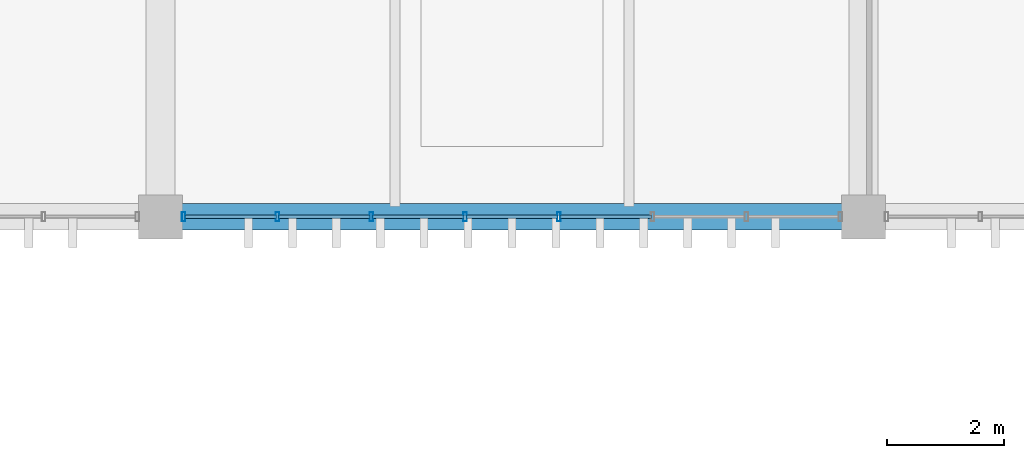
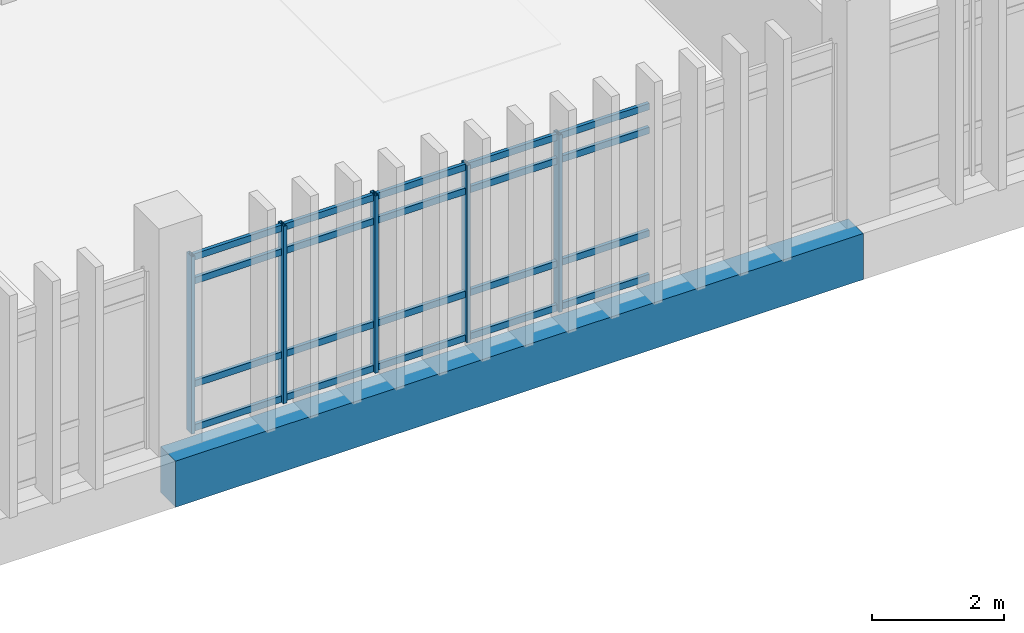
# One storey, part 69 of 161: 25 members, 1 beam, 1 element without a shape of its own.
"""IFC4 building model written with IfcOpenShell, lengths in metres."""

from ifc_helpers import new_model, si_unit, direction, frame, origin, origin_2d, place, context, subcontext, project, spatial, rectangle, hollow_rectangle, extrude, material, layer, layer_set, material_profile, profile_set, type_object, element, aggregate, save


model = new_model("IFC4")

# Units and contexts
model_context = context("Model", 3, precision=1e-05, world=origin(), true_north=direction((0.0, 1.0)))
body_context = subcontext(model_context, "Body", "Model", "MODEL_VIEW")
ifc_project = project(units=[si_unit("LENGTHUNIT", "METRE"), si_unit("AREAUNIT", "SQUARE_METRE"), si_unit("VOLUMEUNIT", "CUBIC_METRE"), si_unit("PLANEANGLEUNIT", "RADIAN"), si_unit("MASSUNIT", "GRAM", prefix="KILO")], contexts=[model_context])

# Site, building, storey
site_placement = place(None, origin())
site = spatial("IfcSite", under=ifc_project, at=site_placement, CompositionType="ELEMENT")
building_placement = place(site_placement, origin())
building = spatial("IfcBuilding", under=site, at=building_placement, Name="Mersad Railyard Sports Hall", CompositionType="ELEMENT")
storey_placement = place(building_placement, frame((0.0, 0.0, 4.800048828125)))
storey = spatial("IfcBuildingStorey", under=building, at=storey_placement, Name="L01", CompositionType="ELEMENT", Elevation=4.800048828125)

# Curtain wall, members
ifc_material_1 = material(Name="Aluminium 6063-T6", Category="aluminium")
ifc_layer = layer(ifc_material_1, 0.159912109375)
ifc_layer_set = layer_set([ifc_layer], Name="Aluminium 6063-T6")
curtain_wall_type = type_object("IfcCurtainWallType", Name="ARC-CW-CW37", PredefinedType="USERDEFINED", material=ifc_layer_set)
curtain_wall_placement = place(storey_placement, origin())
curtain_wall = element("IfcCurtainWall", 1, at=curtain_wall_placement, inside=storey, type_object=curtain_wall_type, Name="Curtain wall CW37-0105", ObjectType="CURTAIN WALL", PredefinedType="USERDEFINED")
ifc_material_profile_1 = material_profile(ifc_material_1, hollow_rectangle(XDim=0.06005859375, YDim=0.159912109375, WallThickness=0.00390625, at=origin_2d()), Name="AL MULLION 60x160x4")
ifc_profile_set_1 = profile_set([ifc_material_profile_1], Name="Aluminium 6063-T6")
member_type_1 = type_object("IfcMemberType", Name="ARC-CW-MUL01", PredefinedType="MULLION", material=ifc_profile_set_1)
member_1_placement = place(storey_placement, frame((61.80078125, 85.0, -0.02001953125), z_axis=(0.0, 0.0, 1.0), x_axis=(1.0, 0.0, 0.0)))
member_1 = element("IfcMember", 2, at=member_1_placement, type_object=member_type_1, Name="CW37 Mullion 4", PredefinedType="MULLION", context=body_context, shape_type="SweptSolid", body=[
    extrude(hollow_rectangle(XDim=0.06005859375, YDim=0.159912109375, WallThickness=0.00390625, at=origin_2d()), origin(), (0.0, 0.0, 1.0), 3.27001953125),
])
member_2_placement = place(storey_placement, frame((60.19921875, 85.0, -0.02001953125), z_axis=(0.0, 0.0, 1.0), x_axis=(1.0, 0.0, 0.0)))
member_2 = element("IfcMember", 3, at=member_2_placement, type_object=member_type_1, Name="CW37 Mullion 5", PredefinedType="MULLION", context=body_context, shape_type="SweptSolid", body=[
    extrude(hollow_rectangle(XDim=0.06005859375, YDim=0.159912109375, WallThickness=0.00390625, at=origin_2d()), origin(), (0.0, 0.0, 1.0), 3.27001953125),
])
member_3_placement = place(storey_placement, frame((58.597900390625, 85.0, -0.02001953125), z_axis=(0.0, 0.0, 1.0), x_axis=(1.0, 0.0, 0.0)))
member_3 = element("IfcMember", 4, at=member_3_placement, type_object=member_type_1, Name="CW37 Mullion 6", PredefinedType="MULLION", context=body_context, shape_type="SweptSolid", body=[
    extrude(hollow_rectangle(XDim=0.06005859375, YDim=0.159912109375, WallThickness=0.00390625, at=origin_2d()), origin(), (0.0, 0.0, 1.0), 3.27001953125),
])
member_4_placement = place(storey_placement, frame((56.996337890625, 85.0, -0.02001953125), z_axis=(0.0, 0.0, 1.0), x_axis=(1.0, 0.0, 0.0)))
member_4 = element("IfcMember", 5, at=member_4_placement, type_object=member_type_1, Name="CW37 Mullion 7", PredefinedType="MULLION", context=body_context, shape_type="SweptSolid", body=[
    extrude(hollow_rectangle(XDim=0.06005859375, YDim=0.159912109375, WallThickness=0.00390625, at=origin_2d()), origin(), (0.0, 0.0, 1.0), 3.27001953125),
])
member_5_placement = place(storey_placement, frame((55.39501953125, 85.0, -0.02001953125), z_axis=(0.0, 0.0, 1.0), x_axis=(1.0, 0.0, 0.0)))
member_5 = element("IfcMember", 6, at=member_5_placement, type_object=member_type_1, Name="CW37 Mullion 8", PredefinedType="MULLION", context=body_context, shape_type="SweptSolid", body=[
    extrude(hollow_rectangle(XDim=0.06005859375, YDim=0.159912109375, WallThickness=0.00390625, at=origin_2d()), origin(), (0.0, 0.0, 1.0), 3.27001953125),
])
ifc_material_profile_2 = material_profile(ifc_material_1, hollow_rectangle(XDim=0.06005859375, YDim=0.1201171875, WallThickness=0.00390625, at=origin_2d()), Name="AL TRANSOM 60x120x4")
ifc_profile_set_2 = profile_set([ifc_material_profile_2], Name="Aluminium 6063-T6")
member_type_2 = type_object("IfcMemberType", Name="ARC-CW-TRN01", PredefinedType="USERDEFINED", material=ifc_profile_set_2)
member_6_placement = place(storey_placement, frame((63.382080078125, 85.0, 0.0400390625), z_axis=(-1.0, 0.0, 0.0), x_axis=(0.0, -1.0, 0.0)))
member_6 = element("IfcMember", 7, at=member_6_placement, type_object=member_type_2, Name="CW37 Transom 1-3", ObjectType="TRANSOM", PredefinedType="USERDEFINED", context=body_context, shape_type="SweptSolid", body=[
    extrude(hollow_rectangle(XDim=0.06005859375, YDim=0.1201171875, WallThickness=0.00390625, at=origin_2d()), origin(), (0.0, 0.0, 1.0), 1.561279296875),
])
member_7_placement = place(storey_placement, frame((61.78076171875, 85.0, 0.0400390625), z_axis=(-1.0, 0.0, 0.0), x_axis=(0.0, -1.0, 0.0)))
member_7 = element("IfcMember", 8, at=member_7_placement, type_object=member_type_2, Name="CW37 Transom 1-4", ObjectType="TRANSOM", PredefinedType="USERDEFINED", context=body_context, shape_type="SweptSolid", body=[
    extrude(hollow_rectangle(XDim=0.06005859375, YDim=0.1201171875, WallThickness=0.00390625, at=origin_2d()), origin(), (0.0, 0.0, 1.0), 1.5615234375),
])
member_8_placement = place(storey_placement, frame((60.17919921875, 85.0, 0.0400390625), z_axis=(-1.0, 0.0, 0.0), x_axis=(0.0, -1.0, 0.0)))
member_8 = element("IfcMember", 9, at=member_8_placement, type_object=member_type_2, Name="CW37 Transom 1-5", ObjectType="TRANSOM", PredefinedType="USERDEFINED", context=body_context, shape_type="SweptSolid", body=[
    extrude(hollow_rectangle(XDim=0.06005859375, YDim=0.1201171875, WallThickness=0.00390625, at=origin_2d()), origin(), (0.0, 0.0, 1.0), 1.561279296875),
])
member_9_placement = place(storey_placement, frame((58.577880859375, 85.0, 0.0400390625), z_axis=(-1.0, 0.0, 0.0), x_axis=(0.0, -1.0, 0.0)))
member_9 = element("IfcMember", 10, at=member_9_placement, type_object=member_type_2, Name="CW37 Transom 1-6", ObjectType="TRANSOM", PredefinedType="USERDEFINED", context=body_context, shape_type="SweptSolid", body=[
    extrude(hollow_rectangle(XDim=0.06005859375, YDim=0.1201171875, WallThickness=0.00390625, at=origin_2d()), origin(), (0.0, 0.0, 1.0), 1.5615234375),
])
member_10_placement = place(storey_placement, frame((56.976318359375, 85.0, 0.0400390625), z_axis=(-1.0, 0.0, 0.0), x_axis=(0.0, -1.0, 0.0)))
member_10 = element("IfcMember", 11, at=member_10_placement, type_object=member_type_2, Name="CW37 Transom 1-7", ObjectType="TRANSOM", PredefinedType="USERDEFINED", context=body_context, shape_type="SweptSolid", body=[
    extrude(hollow_rectangle(XDim=0.06005859375, YDim=0.1201171875, WallThickness=0.00390625, at=origin_2d()), origin(), (0.0, 0.0, 1.0), 1.561279296875),
])
member_11_placement = place(storey_placement, frame((63.382080078125, 85.0, 0.849853515625), z_axis=(-1.0, 0.0, 0.0), x_axis=(0.0, -1.0, 0.0)))
member_11 = element("IfcMember", 12, at=member_11_placement, type_object=member_type_2, Name="CW37 Transom 2-3", ObjectType="TRANSOM", PredefinedType="USERDEFINED", context=body_context, shape_type="SweptSolid", body=[
    extrude(hollow_rectangle(XDim=0.06005859375, YDim=0.1201171875, WallThickness=0.00390625, at=origin_2d()), origin(), (0.0, 0.0, 1.0), 1.561279296875),
])
member_12_placement = place(storey_placement, frame((61.78076171875, 85.0, 0.849853515625), z_axis=(-1.0, 0.0, 0.0), x_axis=(0.0, -1.0, 0.0)))
member_12 = element("IfcMember", 13, at=member_12_placement, type_object=member_type_2, Name="CW37 Transom 2-4", ObjectType="TRANSOM", PredefinedType="USERDEFINED", context=body_context, shape_type="SweptSolid", body=[
    extrude(hollow_rectangle(XDim=0.06005859375, YDim=0.1201171875, WallThickness=0.00390625, at=origin_2d()), origin(), (0.0, 0.0, 1.0), 1.5615234375),
])
member_13_placement = place(storey_placement, frame((60.17919921875, 85.0, 0.849853515625), z_axis=(-1.0, 0.0, 0.0), x_axis=(0.0, -1.0, 0.0)))
member_13 = element("IfcMember", 14, at=member_13_placement, type_object=member_type_2, Name="CW37 Transom 2-5", ObjectType="TRANSOM", PredefinedType="USERDEFINED", context=body_context, shape_type="SweptSolid", body=[
    extrude(hollow_rectangle(XDim=0.06005859375, YDim=0.1201171875, WallThickness=0.00390625, at=origin_2d()), origin(), (0.0, 0.0, 1.0), 1.561279296875),
])
member_14_placement = place(storey_placement, frame((58.577880859375, 85.0, 0.849853515625), z_axis=(-1.0, 0.0, 0.0), x_axis=(0.0, -1.0, 0.0)))
member_14 = element("IfcMember", 15, at=member_14_placement, type_object=member_type_2, Name="CW37 Transom 2-6", ObjectType="TRANSOM", PredefinedType="USERDEFINED", context=body_context, shape_type="SweptSolid", body=[
    extrude(hollow_rectangle(XDim=0.06005859375, YDim=0.1201171875, WallThickness=0.00390625, at=origin_2d()), origin(), (0.0, 0.0, 1.0), 1.5615234375),
])
member_15_placement = place(storey_placement, frame((56.976318359375, 85.0, 0.849853515625), z_axis=(-1.0, 0.0, 0.0), x_axis=(0.0, -1.0, 0.0)))
member_15 = element("IfcMember", 16, at=member_15_placement, type_object=member_type_2, Name="CW37 Transom 2-7", ObjectType="TRANSOM", PredefinedType="USERDEFINED", context=body_context, shape_type="SweptSolid", body=[
    extrude(hollow_rectangle(XDim=0.06005859375, YDim=0.1201171875, WallThickness=0.00390625, at=origin_2d()), origin(), (0.0, 0.0, 1.0), 1.561279296875),
])
member_16_placement = place(storey_placement, frame((63.382080078125, 85.0, 2.75), z_axis=(-1.0, 0.0, 0.0), x_axis=(0.0, -1.0, 0.0)))
member_16 = element("IfcMember", 17, at=member_16_placement, type_object=member_type_2, Name="CW37 Transom 3-3", ObjectType="TRANSOM", PredefinedType="USERDEFINED", context=body_context, shape_type="SweptSolid", body=[
    extrude(hollow_rectangle(XDim=0.06005859375, YDim=0.1201171875, WallThickness=0.00390625, at=origin_2d()), origin(), (0.0, 0.0, 1.0), 1.561279296875),
])
member_17_placement = place(storey_placement, frame((61.78076171875, 85.0, 2.75), z_axis=(-1.0, 0.0, 0.0), x_axis=(0.0, -1.0, 0.0)))
member_17 = element("IfcMember", 18, at=member_17_placement, type_object=member_type_2, Name="CW37 Transom 3-4", ObjectType="TRANSOM", PredefinedType="USERDEFINED", context=body_context, shape_type="SweptSolid", body=[
    extrude(hollow_rectangle(XDim=0.06005859375, YDim=0.1201171875, WallThickness=0.00390625, at=origin_2d()), origin(), (0.0, 0.0, 1.0), 1.5615234375),
])
member_18_placement = place(storey_placement, frame((60.17919921875, 85.0, 2.75), z_axis=(-1.0, 0.0, 0.0), x_axis=(0.0, -1.0, 0.0)))
member_18 = element("IfcMember", 19, at=member_18_placement, type_object=member_type_2, Name="CW37 Transom 3-5", ObjectType="TRANSOM", PredefinedType="USERDEFINED", context=body_context, shape_type="SweptSolid", body=[
    extrude(hollow_rectangle(XDim=0.06005859375, YDim=0.1201171875, WallThickness=0.00390625, at=origin_2d()), origin(), (0.0, 0.0, 1.0), 1.561279296875),
])
member_19_placement = place(storey_placement, frame((58.577880859375, 85.0, 2.75), z_axis=(-1.0, 0.0, 0.0), x_axis=(0.0, -1.0, 0.0)))
member_19 = element("IfcMember", 20, at=member_19_placement, type_object=member_type_2, Name="CW37 Transom 3-6", ObjectType="TRANSOM", PredefinedType="USERDEFINED", context=body_context, shape_type="SweptSolid", body=[
    extrude(hollow_rectangle(XDim=0.06005859375, YDim=0.1201171875, WallThickness=0.00390625, at=origin_2d()), origin(), (0.0, 0.0, 1.0), 1.5615234375),
])
member_20_placement = place(storey_placement, frame((56.976318359375, 85.0, 2.75), z_axis=(-1.0, 0.0, 0.0), x_axis=(0.0, -1.0, 0.0)))
member_20 = element("IfcMember", 21, at=member_20_placement, type_object=member_type_2, Name="CW37 Transom 3-7", ObjectType="TRANSOM", PredefinedType="USERDEFINED", context=body_context, shape_type="SweptSolid", body=[
    extrude(hollow_rectangle(XDim=0.06005859375, YDim=0.1201171875, WallThickness=0.00390625, at=origin_2d()), origin(), (0.0, 0.0, 1.0), 1.561279296875),
])
member_21_placement = place(storey_placement, frame((63.382080078125, 85.0, 3.18994140625), z_axis=(-1.0, 0.0, 0.0), x_axis=(0.0, -1.0, 0.0)))
member_21 = element("IfcMember", 22, at=member_21_placement, type_object=member_type_2, Name="CW37 Transom 4-3", ObjectType="TRANSOM", PredefinedType="USERDEFINED", context=body_context, shape_type="SweptSolid", body=[
    extrude(hollow_rectangle(XDim=0.06005859375, YDim=0.1201171875, WallThickness=0.00390625, at=origin_2d()), origin(), (0.0, 0.0, 1.0), 1.561279296875),
])
member_22_placement = place(storey_placement, frame((61.78076171875, 85.0, 3.18994140625), z_axis=(-1.0, 0.0, 0.0), x_axis=(0.0, -1.0, 0.0)))
member_22 = element("IfcMember", 23, at=member_22_placement, type_object=member_type_2, Name="CW37 Transom 4-4", ObjectType="TRANSOM", PredefinedType="USERDEFINED", context=body_context, shape_type="SweptSolid", body=[
    extrude(hollow_rectangle(XDim=0.06005859375, YDim=0.1201171875, WallThickness=0.00390625, at=origin_2d()), origin(), (0.0, 0.0, 1.0), 1.5615234375),
])
member_23_placement = place(storey_placement, frame((60.17919921875, 85.0, 3.18994140625), z_axis=(-1.0, 0.0, 0.0), x_axis=(0.0, -1.0, 0.0)))
member_23 = element("IfcMember", 24, at=member_23_placement, type_object=member_type_2, Name="CW37 Transom 4-5", ObjectType="TRANSOM", PredefinedType="USERDEFINED", context=body_context, shape_type="SweptSolid", body=[
    extrude(hollow_rectangle(XDim=0.06005859375, YDim=0.1201171875, WallThickness=0.00390625, at=origin_2d()), origin(), (0.0, 0.0, 1.0), 1.561279296875),
])
member_24_placement = place(storey_placement, frame((58.577880859375, 85.0, 3.18994140625), z_axis=(-1.0, 0.0, 0.0), x_axis=(0.0, -1.0, 0.0)))
member_24 = element("IfcMember", 25, at=member_24_placement, type_object=member_type_2, Name="CW37 Transom 4-6", ObjectType="TRANSOM", PredefinedType="USERDEFINED", context=body_context, shape_type="SweptSolid", body=[
    extrude(hollow_rectangle(XDim=0.06005859375, YDim=0.1201171875, WallThickness=0.00390625, at=origin_2d()), origin(), (0.0, 0.0, 1.0), 1.5615234375),
])
member_25_placement = place(storey_placement, frame((56.976318359375, 85.0, 3.18994140625), z_axis=(-1.0, 0.0, 0.0), x_axis=(0.0, -1.0, 0.0)))
member_25 = element("IfcMember", 26, at=member_25_placement, type_object=member_type_2, Name="CW37 Transom 4-7", ObjectType="TRANSOM", PredefinedType="USERDEFINED", context=body_context, shape_type="SweptSolid", body=[
    extrude(hollow_rectangle(XDim=0.06005859375, YDim=0.1201171875, WallThickness=0.00390625, at=origin_2d()), origin(), (0.0, 0.0, 1.0), 1.561279296875),
])
aggregate(curtain_wall, [member_1, member_2, member_3, member_4, member_5, member_6, member_7, member_8, member_9, member_10, member_11, member_12, member_13, member_14, member_15, member_16, member_17, member_18, member_19, member_20, member_21, member_22, member_23, member_24, member_25])

# Beam
ifc_material_2 = material(Name="Concrete C40/50", Category="concrete")
ifc_material_profile_3 = material_profile(ifc_material_2, rectangle(XDim=0.449951171875, YDim=0.85009765625, at=origin_2d()), Name="RC 450x850")
ifc_profile_set_3 = profile_set([ifc_material_profile_3], Name="Concrete C40/50")
beam_type = type_object("IfcBeamType", Name="STR-BM-B02", PredefinedType="BEAM", material=ifc_profile_set_3)
beam_placement = place(storey_placement, frame((55.0, 85.0, -0.72509765625), z_axis=(1.0, 0.0, 0.0), x_axis=(0.0, 1.0, 0.0)))
element("IfcBeam", 27, at=beam_placement, inside=storey, type_object=beam_type, Name="Beam B02-0925", PredefinedType="BEAM", context=body_context, shape_type="SweptSolid", body=[
    extrude(rectangle(XDim=0.449951171875, YDim=0.85009765625, at=origin_2d()), origin(), (0.0, 0.0, 1.0), 12.0),
])

save(model, "model.ifc")
